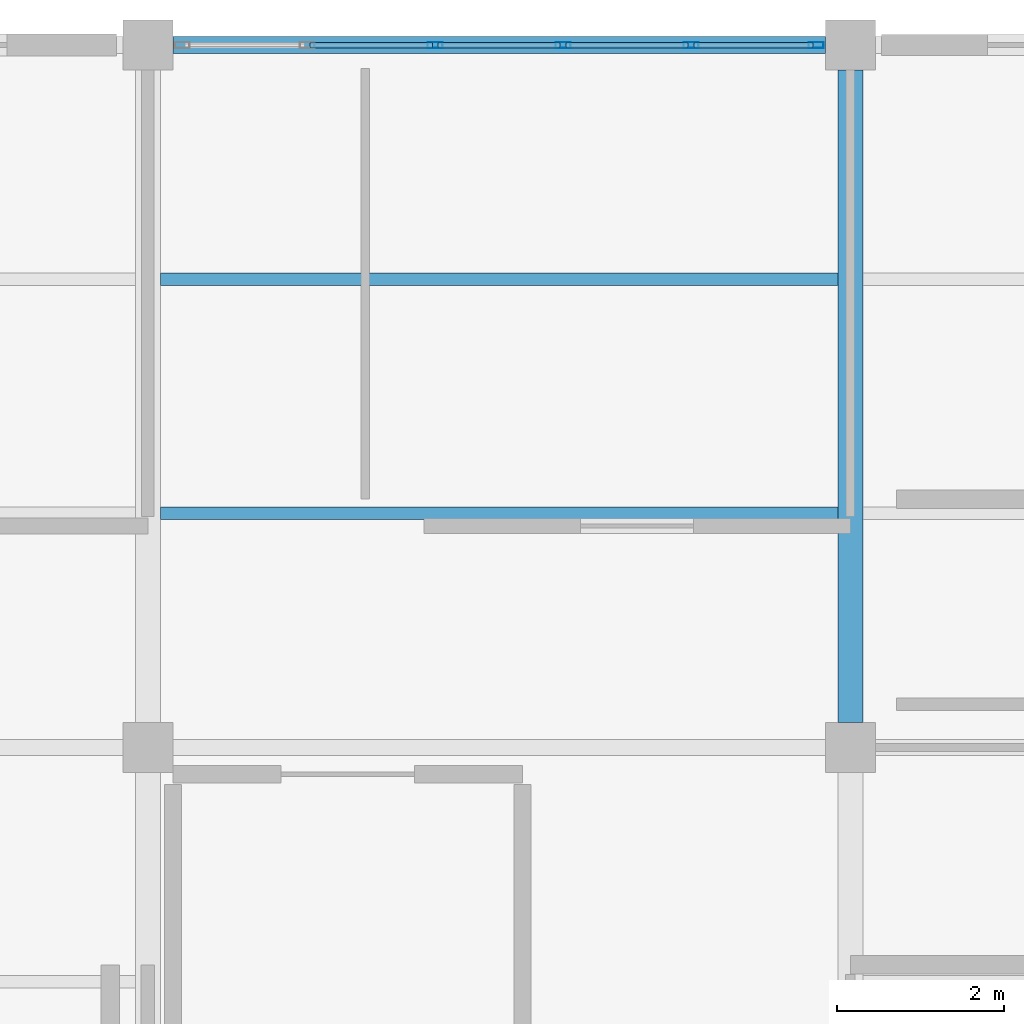
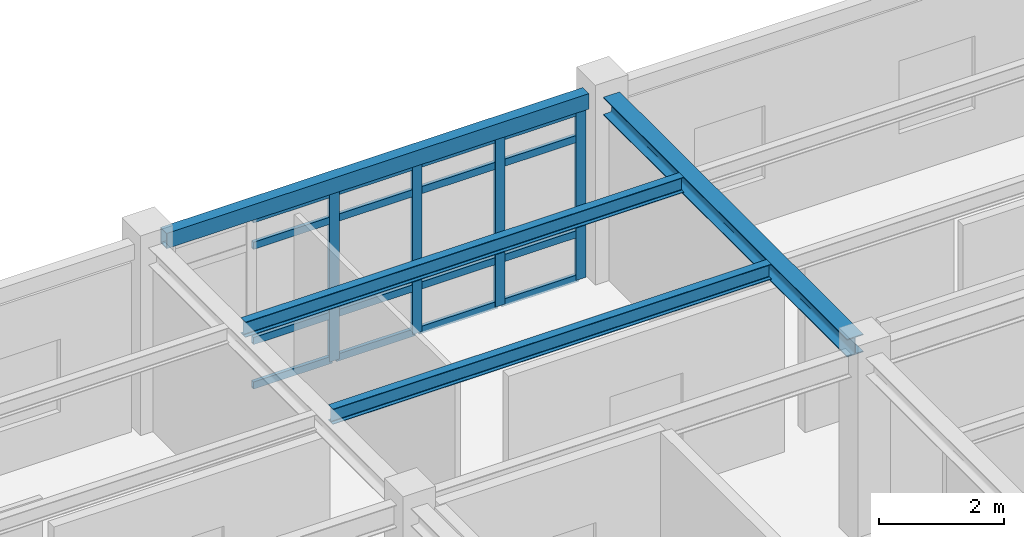
# One storey, part 43 of 86: 20 members, 4 beams, 1 element without a shape of its own.
"""IFC4 building model written with IfcOpenShell, lengths in metres."""

from ifc_helpers import new_model, si_unit, direction, frame, origin, origin_2d, place, context, subcontext, project, spatial, hollow_rectangle, i_section, extrude, material, layer, layer_set, material_profile, profile_set, type_object, element, aggregate, save


model = new_model("IFC4")

# Units and contexts
model_context = context("Model", 3, precision=1e-05, world=origin(), true_north=direction((0.0, 1.0)))
body_context = subcontext(model_context, "Body", "Model", "MODEL_VIEW")
ifc_project = project(units=[si_unit("LENGTHUNIT", "METRE"), si_unit("AREAUNIT", "SQUARE_METRE"), si_unit("VOLUMEUNIT", "CUBIC_METRE"), si_unit("PLANEANGLEUNIT", "RADIAN"), si_unit("MASSUNIT", "GRAM", prefix="KILO")], contexts=[model_context])

# Site, building, storey
site_placement = place(None, origin())
site = spatial("IfcSite", under=ifc_project, at=site_placement, CompositionType="ELEMENT")
building_placement = place(site_placement, origin())
building = spatial("IfcBuilding", under=site, at=building_placement, Name="Bramfleet General Hospital", CompositionType="ELEMENT")
storey_placement = place(building_placement, frame((0.0, 0.0, 18.60009765625)))
storey = spatial("IfcBuildingStorey", under=building, at=storey_placement, Name="L04", CompositionType="ELEMENT", Elevation=18.60009765625)

# Beams
ifc_material_1 = material(Name="Steel S355", Category="steel")
ifc_material_profile_1 = material_profile(ifc_material_1, i_section(OverallWidth=0.300048828125, OverallDepth=0.35009765625, WebThickness=0.010009765625, FlangeThickness=0.017578125, FilletRadius=0.027099609375, at=origin_2d()), Name="HEA 360")
ifc_profile_set_1 = profile_set([ifc_material_profile_1], Name="Steel S355")
beam_type_1 = type_object("IfcBeamType", Name="BM-HEA360", PredefinedType="BEAM", material=ifc_profile_set_1)
beam_1_placement = place(storey_placement, frame((142.800048828125, 109.5, 3.44482421875), z_axis=(0.0, 1.0, 0.0), x_axis=(-1.0, 0.0, 0.0)))
element("IfcBeam", 1, at=beam_1_placement, inside=storey, type_object=beam_type_1, Name="L04 Grid Beam Y 17-13", PredefinedType="BEAM", context=body_context, shape_type="SweptSolid", body=[
    extrude(i_section(OverallWidth=0.300048828125, OverallDepth=0.35009765625, WebThickness=0.010009765625, FlangeThickness=0.017578125, FilletRadius=0.027099609375, at=origin_2d()), origin(), (0.0, 0.0, 1.0), 7.800048828125),
])
ifc_material_profile_2 = material_profile(ifc_material_1, i_section(OverallWidth=0.14990234375, OverallDepth=0.300048828125, WebThickness=0.007080078125, FlangeThickness=0.0107421875, FilletRadius=0.014892578125, at=origin_2d()), Name="IPE 300")
ifc_profile_set_2 = profile_set([ifc_material_profile_2], Name="Steel S355")
beam_type_2 = type_object("IfcBeamType", Name="BM-IPE300", PredefinedType="JOIST", material=ifc_profile_set_2)
for number, where, z_axis, x_axis, name in (
    (2, (134.550048828125, 112.0, 3.469970703125), (1.0, 0.0, 0.0), (0.0, 1.0, 0.0), "L04 Secondary Joist 16-13-1"),
    (3, (134.550048828125, 114.800048828125, 3.469970703125), (1.0, 0.0, 0.0), (0.0, 1.0, 0.0), "L04 Secondary Joist 16-13-2"),
):
    element("IfcBeam", number, at=place(storey_placement, frame(where, z_axis=z_axis, x_axis=x_axis)), inside=storey, type_object=beam_type_2, Name=name, PredefinedType="JOIST", context=body_context, shape_type="SweptSolid", body=[
        extrude(i_section(OverallWidth=0.14990234375, OverallDepth=0.300048828125, WebThickness=0.007080078125, FlangeThickness=0.0107421875, FilletRadius=0.014892578125, at=origin_2d()), origin(), (0.0, 0.0, 1.0), 8.099853515625),
    ])
ifc_material_profile_3 = material_profile(ifc_material_1, hollow_rectangle(XDim=0.199951171875, YDim=0.300048828125, WallThickness=0.012451171875, at=origin_2d()), Name="RHS 300x200x12.5")
ifc_profile_set_3 = profile_set([ifc_material_profile_3], Name="Steel S355")
beam_type_3 = type_object("IfcBeamType", Name="BM-RHS300", PredefinedType="SPANDREL", material=ifc_profile_set_3)
beam_2_placement = place(storey_placement, frame((134.699951171875, 117.60009765625, 3.469970703125), z_axis=(1.0, 0.0, 0.0), x_axis=(0.0, 1.0, 0.0)))
element("IfcBeam", 4, at=beam_2_placement, inside=storey, type_object=beam_type_3, Name="L04 Grid Beam X 16-14", PredefinedType="SPANDREL", context=body_context, shape_type="SweptSolid", body=[
    extrude(hollow_rectangle(XDim=0.199951171875, YDim=0.300048828125, WallThickness=0.012451171875, at=origin_2d()), origin(), (0.0, 0.0, 1.0), 7.800048828125),
])

# Curtain wall, members
ifc_material_2 = material(Name="Anodised aluminium and low-E triple glazing", Category="aluminium")
ifc_layer = layer(ifc_material_2, 0.179931640625, Name="CWT-CW-09")
ifc_layer_set = layer_set([ifc_layer], Name="Anodised aluminium and low-E triple glazing")
curtain_wall_type = type_object("IfcCurtainWallType", Name="CWT-CW-09", PredefinedType="USERDEFINED", material=ifc_layer_set)
curtain_wall_placement = place(storey_placement, origin())
curtain_wall = element("IfcCurtainWall", 5, at=curtain_wall_placement, inside=storey, type_object=curtain_wall_type, Name="L04 Curtain Wall 189", ObjectType="Unitised curtain wall", PredefinedType="USERDEFINED")
ifc_material_3 = material(Name="Anodised aluminium EN AW-6060", Category="aluminium")
ifc_material_profile_4 = material_profile(ifc_material_3, hollow_rectangle(XDim=0.070068359375, YDim=0.179931640625, WallThickness=0.00390625, at=origin_2d()), Name="ALU 180x70x4.0")
ifc_profile_set_4 = profile_set([ifc_material_profile_4], Name="Anodised aluminium EN AW-6060")
member_type_1 = type_object("IfcMemberType", Name="CWM-ALU180", PredefinedType="MULLION", material=ifc_profile_set_4)
member_1_placement = place(storey_placement, frame((137.8349609375, 117.60009765625, 0.0), z_axis=(0.0, 0.0, 1.0), x_axis=(0.0, 1.0, 0.0)))
member_1 = element("IfcMember", 6, at=member_1_placement, type_object=member_type_1, Name="CW-09 mullion 3", PredefinedType="MULLION", context=body_context, shape_type="SweptSolid", body=[
    extrude(hollow_rectangle(XDim=0.070068359375, YDim=0.179931640625, WallThickness=0.00390625, at=origin_2d()), origin(), (0.0, 0.0, 1.0), 3.309814453125),
])
member_2_placement = place(storey_placement, frame((139.364990234375, 117.60009765625, 0.0), z_axis=(0.0, 0.0, 1.0), x_axis=(0.0, 1.0, 0.0)))
member_2 = element("IfcMember", 7, at=member_2_placement, type_object=member_type_1, Name="CW-09 mullion 4", PredefinedType="MULLION", context=body_context, shape_type="SweptSolid", body=[
    extrude(hollow_rectangle(XDim=0.070068359375, YDim=0.179931640625, WallThickness=0.00390625, at=origin_2d()), origin(), (0.0, 0.0, 1.0), 3.309814453125),
])
member_3_placement = place(storey_placement, frame((140.89501953125, 117.60009765625, 0.0), z_axis=(0.0, 0.0, 1.0), x_axis=(0.0, 1.0, 0.0)))
member_3 = element("IfcMember", 8, at=member_3_placement, type_object=member_type_1, Name="CW-09 mullion 5", PredefinedType="MULLION", context=body_context, shape_type="SweptSolid", body=[
    extrude(hollow_rectangle(XDim=0.070068359375, YDim=0.179931640625, WallThickness=0.00390625, at=origin_2d()), origin(), (0.0, 0.0, 1.0), 3.309814453125),
])
member_4_placement = place(storey_placement, frame((142.389892578125, 117.60009765625, 0.0), z_axis=(0.0, 0.0, 1.0), x_axis=(0.0, 1.0, 0.0)))
member_4 = element("IfcMember", 9, at=member_4_placement, type_object=member_type_1, Name="CW-09 mullion 6", PredefinedType="MULLION", context=body_context, shape_type="SweptSolid", body=[
    extrude(hollow_rectangle(XDim=0.070068359375, YDim=0.179931640625, WallThickness=0.00390625, at=origin_2d()), origin(), (0.0, 0.0, 1.0), 3.309814453125),
])
ifc_material_profile_5 = material_profile(ifc_material_3, hollow_rectangle(XDim=0.06494140625, YDim=0.139892578125, WallThickness=0.00390625, at=origin_2d()), Name="ALU 140x65x4.0")
ifc_profile_set_5 = profile_set([ifc_material_profile_5], Name="Anodised aluminium EN AW-6060")
member_type_2 = type_object("IfcMemberType", Name="CWT-ALU140", PredefinedType="USERDEFINED", material=ifc_profile_set_5)
member_5_placement = place(storey_placement, frame((136.340087890625, 117.60009765625, 0.032470703125), z_axis=(1.0, 0.0, 0.0), x_axis=(0.0, 1.0, 0.0)))
member_5 = element("IfcMember", 10, at=member_5_placement, type_object=member_type_2, Name="CW-09 transom 2.1", ObjectType="TRANSOM", PredefinedType="USERDEFINED", context=body_context, shape_type="SweptSolid", body=[
    extrude(hollow_rectangle(XDim=0.06494140625, YDim=0.139892578125, WallThickness=0.00390625, at=origin_2d()), origin(), (0.0, 0.0, 1.0), 1.4599609375),
])
member_6_placement = place(storey_placement, frame((136.340087890625, 117.60009765625, 0.89990234375), z_axis=(1.0, 0.0, 0.0), x_axis=(0.0, 1.0, 0.0)))
member_6 = element("IfcMember", 11, at=member_6_placement, type_object=member_type_2, Name="CW-09 transom 2.2", ObjectType="TRANSOM", PredefinedType="USERDEFINED", context=body_context, shape_type="SweptSolid", body=[
    extrude(hollow_rectangle(XDim=0.06494140625, YDim=0.139892578125, WallThickness=0.00390625, at=origin_2d()), origin(), (0.0, 0.0, 1.0), 1.4599609375),
])
member_7_placement = place(storey_placement, frame((136.340087890625, 117.60009765625, 2.760009765625), z_axis=(1.0, 0.0, 0.0), x_axis=(0.0, 1.0, 0.0)))
member_7 = element("IfcMember", 12, at=member_7_placement, type_object=member_type_2, Name="CW-09 transom 2.3", ObjectType="TRANSOM", PredefinedType="USERDEFINED", context=body_context, shape_type="SweptSolid", body=[
    extrude(hollow_rectangle(XDim=0.06494140625, YDim=0.139892578125, WallThickness=0.00390625, at=origin_2d()), origin(), (0.0, 0.0, 1.0), 1.4599609375),
])
member_8_placement = place(storey_placement, frame((136.340087890625, 117.60009765625, 3.27734375), z_axis=(1.0, 0.0, 0.0), x_axis=(0.0, 1.0, 0.0)))
member_8 = element("IfcMember", 13, at=member_8_placement, type_object=member_type_2, Name="CW-09 transom 2.4", ObjectType="TRANSOM", PredefinedType="USERDEFINED", context=body_context, shape_type="SweptSolid", body=[
    extrude(hollow_rectangle(XDim=0.06494140625, YDim=0.139892578125, WallThickness=0.00390625, at=origin_2d()), origin(), (0.0, 0.0, 1.0), 1.4599609375),
])
member_9_placement = place(storey_placement, frame((137.8701171875, 117.60009765625, 0.032470703125), z_axis=(1.0, 0.0, 0.0), x_axis=(0.0, 1.0, 0.0)))
member_9 = element("IfcMember", 14, at=member_9_placement, type_object=member_type_2, Name="CW-09 transom 3.1", ObjectType="TRANSOM", PredefinedType="USERDEFINED", context=body_context, shape_type="SweptSolid", body=[
    extrude(hollow_rectangle(XDim=0.06494140625, YDim=0.139892578125, WallThickness=0.00390625, at=origin_2d()), origin(), (0.0, 0.0, 1.0), 1.4599609375),
])
member_10_placement = place(storey_placement, frame((137.8701171875, 117.60009765625, 0.89990234375), z_axis=(1.0, 0.0, 0.0), x_axis=(0.0, 1.0, 0.0)))
member_10 = element("IfcMember", 15, at=member_10_placement, type_object=member_type_2, Name="CW-09 transom 3.2", ObjectType="TRANSOM", PredefinedType="USERDEFINED", context=body_context, shape_type="SweptSolid", body=[
    extrude(hollow_rectangle(XDim=0.06494140625, YDim=0.139892578125, WallThickness=0.00390625, at=origin_2d()), origin(), (0.0, 0.0, 1.0), 1.4599609375),
])
member_11_placement = place(storey_placement, frame((137.8701171875, 117.60009765625, 2.760009765625), z_axis=(1.0, 0.0, 0.0), x_axis=(0.0, 1.0, 0.0)))
member_11 = element("IfcMember", 16, at=member_11_placement, type_object=member_type_2, Name="CW-09 transom 3.3", ObjectType="TRANSOM", PredefinedType="USERDEFINED", context=body_context, shape_type="SweptSolid", body=[
    extrude(hollow_rectangle(XDim=0.06494140625, YDim=0.139892578125, WallThickness=0.00390625, at=origin_2d()), origin(), (0.0, 0.0, 1.0), 1.4599609375),
])
member_12_placement = place(storey_placement, frame((137.8701171875, 117.60009765625, 3.27734375), z_axis=(1.0, 0.0, 0.0), x_axis=(0.0, 1.0, 0.0)))
member_12 = element("IfcMember", 17, at=member_12_placement, type_object=member_type_2, Name="CW-09 transom 3.4", ObjectType="TRANSOM", PredefinedType="USERDEFINED", context=body_context, shape_type="SweptSolid", body=[
    extrude(hollow_rectangle(XDim=0.06494140625, YDim=0.139892578125, WallThickness=0.00390625, at=origin_2d()), origin(), (0.0, 0.0, 1.0), 1.4599609375),
])
member_13_placement = place(storey_placement, frame((139.39990234375, 117.60009765625, 0.032470703125), z_axis=(1.0, 0.0, 0.0), x_axis=(0.0, 1.0, 0.0)))
member_13 = element("IfcMember", 18, at=member_13_placement, type_object=member_type_2, Name="CW-09 transom 4.1", ObjectType="TRANSOM", PredefinedType="USERDEFINED", context=body_context, shape_type="SweptSolid", body=[
    extrude(hollow_rectangle(XDim=0.06494140625, YDim=0.139892578125, WallThickness=0.00390625, at=origin_2d()), origin(), (0.0, 0.0, 1.0), 1.460205078125),
])
member_14_placement = place(storey_placement, frame((139.39990234375, 117.60009765625, 0.89990234375), z_axis=(1.0, 0.0, 0.0), x_axis=(0.0, 1.0, 0.0)))
member_14 = element("IfcMember", 19, at=member_14_placement, type_object=member_type_2, Name="CW-09 transom 4.2", ObjectType="TRANSOM", PredefinedType="USERDEFINED", context=body_context, shape_type="SweptSolid", body=[
    extrude(hollow_rectangle(XDim=0.06494140625, YDim=0.139892578125, WallThickness=0.00390625, at=origin_2d()), origin(), (0.0, 0.0, 1.0), 1.460205078125),
])
member_15_placement = place(storey_placement, frame((139.39990234375, 117.60009765625, 2.760009765625), z_axis=(1.0, 0.0, 0.0), x_axis=(0.0, 1.0, 0.0)))
member_15 = element("IfcMember", 20, at=member_15_placement, type_object=member_type_2, Name="CW-09 transom 4.3", ObjectType="TRANSOM", PredefinedType="USERDEFINED", context=body_context, shape_type="SweptSolid", body=[
    extrude(hollow_rectangle(XDim=0.06494140625, YDim=0.139892578125, WallThickness=0.00390625, at=origin_2d()), origin(), (0.0, 0.0, 1.0), 1.460205078125),
])
member_16_placement = place(storey_placement, frame((139.39990234375, 117.60009765625, 3.27734375), z_axis=(1.0, 0.0, 0.0), x_axis=(0.0, 1.0, 0.0)))
member_16 = element("IfcMember", 21, at=member_16_placement, type_object=member_type_2, Name="CW-09 transom 4.4", ObjectType="TRANSOM", PredefinedType="USERDEFINED", context=body_context, shape_type="SweptSolid", body=[
    extrude(hollow_rectangle(XDim=0.06494140625, YDim=0.139892578125, WallThickness=0.00390625, at=origin_2d()), origin(), (0.0, 0.0, 1.0), 1.460205078125),
])
member_17_placement = place(storey_placement, frame((140.929931640625, 117.60009765625, 0.032470703125), z_axis=(1.0, 0.0, 0.0), x_axis=(0.0, 1.0, 0.0)))
member_17 = element("IfcMember", 22, at=member_17_placement, type_object=member_type_2, Name="CW-09 transom 5.1", ObjectType="TRANSOM", PredefinedType="USERDEFINED", context=body_context, shape_type="SweptSolid", body=[
    extrude(hollow_rectangle(XDim=0.06494140625, YDim=0.139892578125, WallThickness=0.00390625, at=origin_2d()), origin(), (0.0, 0.0, 1.0), 1.425048828125),
])
member_18_placement = place(storey_placement, frame((140.929931640625, 117.60009765625, 0.89990234375), z_axis=(1.0, 0.0, 0.0), x_axis=(0.0, 1.0, 0.0)))
member_18 = element("IfcMember", 23, at=member_18_placement, type_object=member_type_2, Name="CW-09 transom 5.2", ObjectType="TRANSOM", PredefinedType="USERDEFINED", context=body_context, shape_type="SweptSolid", body=[
    extrude(hollow_rectangle(XDim=0.06494140625, YDim=0.139892578125, WallThickness=0.00390625, at=origin_2d()), origin(), (0.0, 0.0, 1.0), 1.425048828125),
])
member_19_placement = place(storey_placement, frame((140.929931640625, 117.60009765625, 2.760009765625), z_axis=(1.0, 0.0, 0.0), x_axis=(0.0, 1.0, 0.0)))
member_19 = element("IfcMember", 24, at=member_19_placement, type_object=member_type_2, Name="CW-09 transom 5.3", ObjectType="TRANSOM", PredefinedType="USERDEFINED", context=body_context, shape_type="SweptSolid", body=[
    extrude(hollow_rectangle(XDim=0.06494140625, YDim=0.139892578125, WallThickness=0.00390625, at=origin_2d()), origin(), (0.0, 0.0, 1.0), 1.425048828125),
])
member_20_placement = place(storey_placement, frame((140.929931640625, 117.60009765625, 3.27734375), z_axis=(1.0, 0.0, 0.0), x_axis=(0.0, 1.0, 0.0)))
member_20 = element("IfcMember", 25, at=member_20_placement, type_object=member_type_2, Name="CW-09 transom 5.4", ObjectType="TRANSOM", PredefinedType="USERDEFINED", context=body_context, shape_type="SweptSolid", body=[
    extrude(hollow_rectangle(XDim=0.06494140625, YDim=0.139892578125, WallThickness=0.00390625, at=origin_2d()), origin(), (0.0, 0.0, 1.0), 1.425048828125),
])
aggregate(curtain_wall, [member_1, member_2, member_3, member_4, member_5, member_6, member_7, member_8, member_9, member_10, member_11, member_12, member_13, member_14, member_15, member_16, member_17, member_18, member_19, member_20])

save(model, "model.ifc")
